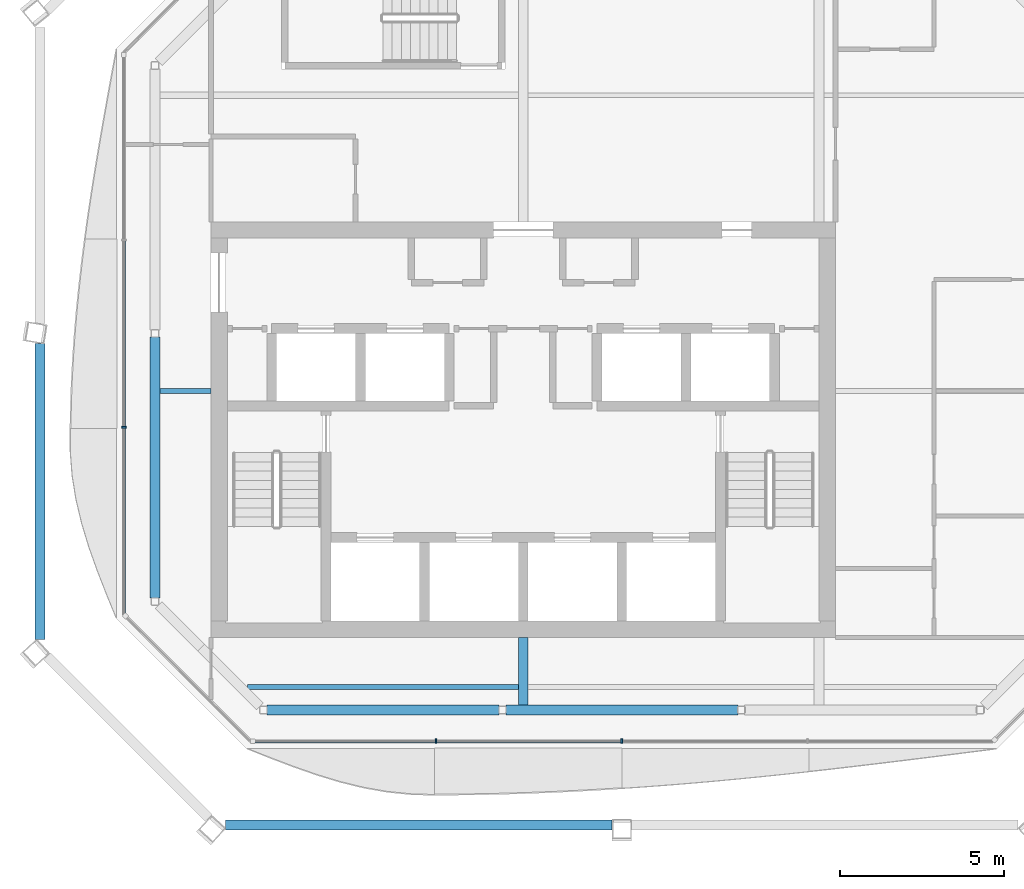
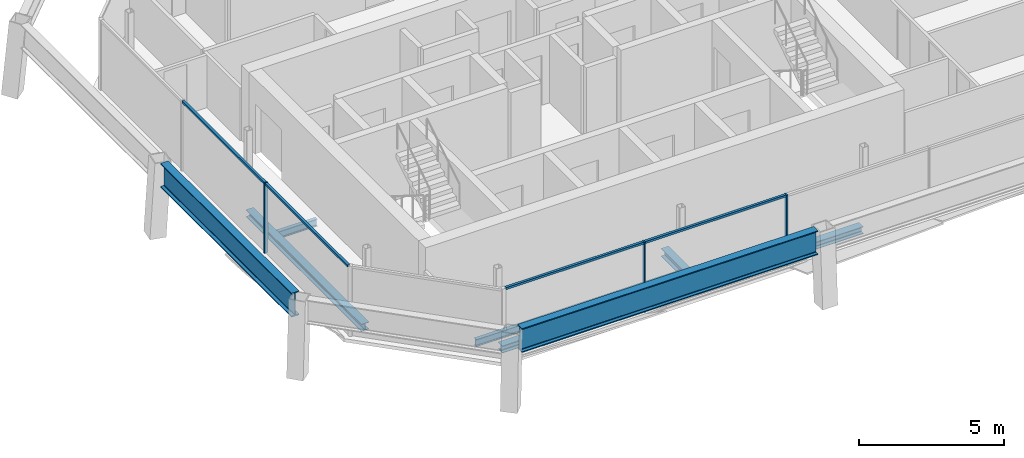
# One storey, part 3 of 14: 8 beams, 7 members, 2 elements without a shape of their own.
"""IFC4 building model written with IfcOpenShell, lengths in metres."""

import ifcopenshell
import ifcopenshell.guid

model = None  # the IFC model being written
_history = None  # IfcOwnerHistory: only IFC2X3 demands one
_inside = {}  # id of a spatial element -> (the spatial element, [elements in it])
_under = {}  # id of a project, library or spatial element -> (it, [spatial elements below it])
_declared = {}  # id of a project -> (the project, [libraries it declares])
_typed = {}  # id of a type object -> (the type object, [elements of that type])
_made_of = {}  # id of a material, layer set ... -> (it, [elements and type objects made of it])


def new_model(schema):
    """Start an empty IFC model of exactly this schema.

    Asked for "IFC4X3", IfcOpenShell would pick the latest addendum, in which some entities
    have other attributes; the version numbers below select the first issue.
    IFC2X3 requires an IfcOwnerHistory on every rooted entity: one is made here for all.
    """
    global model, _history
    if schema == "IFC4X3":
        model = ifcopenshell.file(schema_version=(4, 3, 0, 0))
    else:
        model = ifcopenshell.file(schema=schema)
    _inside.clear()
    _under.clear()
    _declared.clear()
    _typed.clear()
    _made_of.clear()
    _history = None
    if model.schema == "IFC2X3":
        org = make("IfcOrganization", Name="unknown")
        user = make(
            "IfcPersonAndOrganization",
            ThePerson=make("IfcPerson", FamilyName="unknown"),
            TheOrganization=org,
        )
        app = make(
            "IfcApplication",
            ApplicationDeveloper=org,
            Version="unknown",
            ApplicationFullName="unknown",
            ApplicationIdentifier="unknown",
        )
        _history = make(
            "IfcOwnerHistory",
            OwningUser=user,
            OwningApplication=app,
            ChangeAction="ADDED",
            CreationDate=0,
        )
    return model


def make(cls, **values):
    """One entity of the class cls with the attributes given. An attribute that is None is left unset."""
    return model.create_entity(
        cls, **{name: value for name, value in values.items() if value is not None}
    )


def rooted(cls, **values):
    """An entity with a GlobalId (a new one), such as an element, a storey or a relation."""
    return make(cls, GlobalId=ifcopenshell.guid.new(), OwnerHistory=_history, **values)


def si_unit(unit_type, name, prefix=None):
    """IfcSIUnit, for example si_unit("LENGTHUNIT", "METRE", prefix="MILLI")."""
    return make("IfcSIUnit", UnitType=unit_type, Prefix=prefix, Name=name)


def assignment(units):
    """IfcUnitAssignment: the units of a project."""
    return None if units is None else make("IfcUnitAssignment", Units=units)


def point(xyz):
    """IfcCartesianPoint."""
    return None if xyz is None else make("IfcCartesianPoint", Coordinates=xyz)


def direction(xyz):
    """IfcDirection."""
    return None if xyz is None else make("IfcDirection", DirectionRatios=xyz)


def frame(location, z_axis=None, x_axis=None):
    """IfcAxis2Placement3D, a coordinate frame: its origin and axes. An axis left out is left unset."""
    return make(
        "IfcAxis2Placement3D",
        Location=point(location),
        Axis=direction(z_axis),
        RefDirection=direction(x_axis),
    )


def frame_2d(location, x_axis=None):
    """IfcAxis2Placement2D, a coordinate frame in the plane: its origin and x axis."""
    return make(
        "IfcAxis2Placement2D", Location=point(location), RefDirection=direction(x_axis)
    )


def origin():
    """The frame at (0, 0, 0) with its axes left unset."""
    return frame((0.0, 0.0, 0.0))


def origin_2d():
    """The frame at (0, 0) in the plane with its x axis left unset."""
    return frame_2d((0.0, 0.0))


def place(relative_to, where):
    """IfcLocalPlacement: puts the frame where relative to a parent placement (None: the world)."""
    return make(
        "IfcLocalPlacement", PlacementRelTo=relative_to, RelativePlacement=where
    )


def context(
    kind, dimensions, precision=None, world=None, true_north=None, identifier=None
):
    """IfcGeometricRepresentationContext, for example the 3D "Model" context."""
    return make(
        "IfcGeometricRepresentationContext",
        ContextIdentifier=identifier,
        ContextType=kind,
        CoordinateSpaceDimension=dimensions,
        Precision=precision,
        WorldCoordinateSystem=world,
        TrueNorth=true_north,
    )


def subcontext(parent, identifier, kind, view, scale=None):
    """IfcGeometricRepresentationSubContext, for example "Body" below "Model"."""
    return make(
        "IfcGeometricRepresentationSubContext",
        ContextIdentifier=identifier,
        ContextType=kind,
        ParentContext=parent,
        TargetScale=scale,
        TargetView=view,
    )


def project(units=None, contexts=None):
    """IfcProject with its units and contexts."""
    return rooted(
        "IfcProject",
        Name="project",
        RepresentationContexts=contexts,
        UnitsInContext=assignment(units),
    )


def spatial(cls, under=None, at=None, **own):
    """A site, building, storey or space (cls), placed at a placement, below another one or the project."""
    s = rooted(cls, ObjectPlacement=at, **own)
    if under is not None:
        _under.setdefault(under.id(), (under, []))[1].append(s)
    return s


def profile(cls, at=None, kind="AREA", **sizes):
    """A parametric profile (cls). Its sizes go by their IFC names, for example OverallWidth=200.0."""
    return make(cls, ProfileType=kind, Position=at, **sizes)


def rectangle(**sizes):
    """IfcRectangleProfileDef."""
    return profile("IfcRectangleProfileDef", **sizes)


def i_section(**sizes):
    """IfcIShapeProfileDef."""
    return profile("IfcIShapeProfileDef", **sizes)


def extrude(swept, where, along, depth):
    """IfcExtrudedAreaSolid: the profile swept, set in the frame where, extruded along a direction by depth."""
    return make(
        "IfcExtrudedAreaSolid",
        SweptArea=swept,
        Position=where,
        ExtrudedDirection=direction(along),
        Depth=depth,
    )


def shape(context_of_items, identifier, shape_type, items):
    """IfcShapeRepresentation: the items that make up one representation, for example the "Body"."""
    return make(
        "IfcShapeRepresentation",
        ContextOfItems=context_of_items,
        RepresentationIdentifier=identifier,
        RepresentationType=shape_type,
        Items=items,
    )


def material(Name=None, Category=None):
    """IfcMaterial."""
    return make("IfcMaterial", Name=Name, Category=Category)


def material_profile(
    of_material, cross_section, Name=None, Category=None, Priority=None
):
    """IfcMaterialProfile: a cross section and its material."""
    return make(
        "IfcMaterialProfile",
        Name=Name,
        Material=of_material,
        Profile=cross_section,
        Priority=Priority,
        Category=Category,
    )


def profile_set(profiles, Name=None, composite=None):
    """IfcMaterialProfileSet."""
    return make(
        "IfcMaterialProfileSet",
        Name=Name,
        MaterialProfiles=profiles,
        CompositeProfile=composite,
    )


def made_of(thing, what):
    """Note that an element or type object is made of a material, layer set ...; save() writes the relation."""
    if what is not None:
        _made_of.setdefault(what.id(), (what, []))[1].append(thing)
    return thing


def type_object(cls, material=None, **own):
    """A type object (cls), such as IfcWallType, which elements share."""
    return made_of(rooted(cls, **own), material)


def element(
    cls,
    number,
    at=None,
    inside=None,
    cuts=None,
    type_object=None,
    material=None,
    context=None,
    identifier="Body",
    shape_type=None,
    held_by="IfcProductDefinitionShape",
    body=None,
    shapes=None,
    **own,
):
    """One element of the class cls, such as IfcWall. Its Tag is "e" and its number.

    at: its placement. inside: the storey or other place that contains it. cuts: it is an
    opening in that element (IfcRelVoidsElement). A single representation is given by context,
    identifier, shape_type and body (its items); several are given by shapes. held_by: the class
    of the entity that holds the representations. save() writes the other relations.
    """
    e = rooted(cls, Tag="e%d" % number, ObjectPlacement=at, **own)
    if body is not None:
        shapes = [shape(context, identifier, shape_type, body)]
    if shapes is not None:
        e.Representation = make(held_by, Representations=shapes)
    if inside is not None:
        _inside.setdefault(inside.id(), (inside, []))[1].append(e)
    if cuts is not None:
        rooted(
            "IfcRelVoidsElement", RelatingBuildingElement=cuts, RelatedOpeningElement=e
        )
    if type_object is not None:
        _typed.setdefault(type_object.id(), (type_object, []))[1].append(e)
    return made_of(e, material)


def aggregate(whole, parts):
    """IfcRelAggregates: a whole, such as a stair, and the parts it consists of."""
    return rooted("IfcRelAggregates", RelatingObject=whole, RelatedObjects=parts)


def save(model, path):
    """Write the relations noted so far, then the file.

    IfcRelAggregates (storeys below a building ...), IfcRelContainedInSpatialStructure (elements
    in a storey), IfcRelDefinesByType, IfcRelAssociatesMaterial and IfcRelDeclares: one each for
    every whole, place, type object, material and project.
    """
    for whole, parts in _under.values():
        aggregate(whole, parts)
    for where, things in _inside.values():
        rooted(
            "IfcRelContainedInSpatialStructure",
            RelatedElements=things,
            RelatingStructure=where,
        )
    for kind, things in _typed.values():
        rooted("IfcRelDefinesByType", RelatedObjects=things, RelatingType=kind)
    for what, things in _made_of.values():
        rooted("IfcRelAssociatesMaterial", RelatedObjects=things, RelatingMaterial=what)
    for by, libraries in _declared.values():
        rooted("IfcRelDeclares", RelatingContext=by, RelatedDefinitions=libraries)
    model.write(path)


model = new_model("IFC4")

# Units and contexts
model_context = context("Model", 3, precision=1e-05, world=origin(), true_north=direction((0.0, 1.0)))
body_context = subcontext(model_context, "Body", "Model", "MODEL_VIEW")
ifc_project = project(units=[si_unit("LENGTHUNIT", "METRE"), si_unit("AREAUNIT", "SQUARE_METRE"), si_unit("VOLUMEUNIT", "CUBIC_METRE"), si_unit("PLANEANGLEUNIT", "RADIAN"), si_unit("MASSUNIT", "GRAM", prefix="KILO")], contexts=[model_context])

# Site, building, storey
site_placement = place(None, origin())
site = spatial("IfcSite", under=ifc_project, at=site_placement, CompositionType="ELEMENT")
building_placement = place(site_placement, origin())
building = spatial("IfcBuilding", under=site, at=building_placement, Name="Tskaro Facet Tower", CompositionType="ELEMENT")
storey_placement = place(building_placement, frame((0.0, 0.0, 294.14990234375)))
storey = spatial("IfcBuildingStorey", under=building, at=storey_placement, Name="L79", CompositionType="ELEMENT", Elevation=294.14990234375)

# Curtain wall, members
ifc_material_1 = material(Name="Bronze anodised aluminium 6063-T6", Category="aluminium")
curtain_wall_type = type_object("IfcCurtainWallType", Name="Bronze residence curtain wall (FW3)", PredefinedType="NOTDEFINED", material=ifc_material_1)
curtain_wall_1_placement = place(storey_placement, origin())
curtain_wall_1 = element("IfcCurtainWall", 1, at=curtain_wall_1_placement, inside=storey, type_object=curtain_wall_type, Name="FW3 south facet L79", PredefinedType="NOTDEFINED")
ifc_material_profile_1 = material_profile(ifc_material_1, rectangle(XDim=0.050048828125, YDim=0.139892578125, at=origin_2d()), Name="Mullion 50x140")
ifc_profile_set_1 = profile_set([ifc_material_profile_1], Name="Bronze anodised aluminium 6063-T6")
member_type_1 = type_object("IfcMemberType", Name="FW3 bronze mullion 50x140", PredefinedType="MULLION", material=ifc_profile_set_1)
member_1_placement = place(storey_placement, frame((-2.64794921875, -15.14990234375, 0.0), z_axis=(0.0, 0.0, 1.0), x_axis=(1.0, 0.0, 0.0)))
member_1 = element("IfcMember", 2, at=member_1_placement, type_object=member_type_1, Name="FW3 south mullion 1", PredefinedType="MULLION", context=body_context, shape_type="SweptSolid", body=[
    extrude(rectangle(XDim=0.050048828125, YDim=0.139892578125, at=origin_2d()), origin(), (0.0, 0.0, 1.0), 2.9501953125),
])
member_2_placement = place(storey_placement, frame((3.0, -15.14990234375, 0.0), z_axis=(0.0, 0.0, 1.0), x_axis=(1.0, 0.0, 0.0)))
member_2 = element("IfcMember", 3, at=member_2_placement, type_object=member_type_1, Name="FW3 south mullion 2", PredefinedType="MULLION", context=body_context, shape_type="SweptSolid", body=[
    extrude(rectangle(XDim=0.050048828125, YDim=0.139892578125, at=origin_2d()), origin(), (0.0, 0.0, 1.0), 2.9501953125),
])

# Curtain wall, member
curtain_wall_2_placement = place(storey_placement, origin())
curtain_wall_2 = element("IfcCurtainWall", 4, at=curtain_wall_2_placement, inside=storey, type_object=curtain_wall_type, Name="FW3 west facet L79", PredefinedType="NOTDEFINED")
member_3_placement = place(storey_placement, frame((-12.14990234375, -5.5986328125, 0.0), z_axis=(0.0, 0.0, 1.0), x_axis=(0.0, -1.0, 0.0)))
member_3 = element("IfcMember", 5, at=member_3_placement, type_object=member_type_1, Name="FW3 west mullion 2", PredefinedType="MULLION", context=body_context, shape_type="SweptSolid", body=[
    extrude(rectangle(XDim=0.050048828125, YDim=0.139892578125, at=origin_2d()), origin(), (0.0, 0.0, 1.0), 2.9501953125),
])

# Member
ifc_material_profile_2 = material_profile(ifc_material_1, rectangle(XDim=0.10009765625, YDim=0.090087890625, at=origin_2d()), Name="Transom 100x90")
ifc_profile_set_2 = profile_set([ifc_material_profile_2], Name="Bronze anodised aluminium 6063-T6")
member_type_2 = type_object("IfcMemberType", Name="FW3 bronze transom 100x90", PredefinedType="USERDEFINED", material=ifc_profile_set_2)
member_4_placement = place(storey_placement, frame((-8.156005859375, -15.14990234375, 2.905029296875), z_axis=(1.0, 0.0, 0.0), x_axis=(0.0, 1.0, 0.0)))
member_4 = element("IfcMember", 6, at=member_4_placement, type_object=member_type_2, Name="FW3 south transom 1.1", ObjectType="TRANSOM", PredefinedType="USERDEFINED", context=body_context, shape_type="SweptSolid", body=[
    extrude(rectangle(XDim=0.10009765625, YDim=0.090087890625, at=origin_2d()), origin(), (0.0, 0.0, 1.0), 5.48291015625),
])

member_5_placement = place(storey_placement, frame((-2.623046875, -15.14990234375, 2.905029296875), z_axis=(1.0, 0.0, 0.0), x_axis=(0.0, 1.0, 0.0)))
member_5 = element("IfcMember", 7, at=member_5_placement, type_object=member_type_2, Name="FW3 south transom 2.1", ObjectType="TRANSOM", PredefinedType="USERDEFINED", context=body_context, shape_type="SweptSolid", body=[
    extrude(rectangle(XDim=0.10009765625, YDim=0.090087890625, at=origin_2d()), origin(), (0.0, 0.0, 1.0), 5.59814453125),
])

aggregate(curtain_wall_1, [member_1, member_2, member_4, member_5])

member_6_placement = place(storey_placement, frame((-12.14990234375, 0.07373046875, 2.905029296875), z_axis=(0.0, -1.0, 0.0), x_axis=(1.0, 0.0, 0.0)))
member_6 = element("IfcMember", 8, at=member_6_placement, type_object=member_type_2, Name="FW3 west transom 2.1", ObjectType="TRANSOM", PredefinedType="USERDEFINED", context=body_context, shape_type="SweptSolid", body=[
    extrude(rectangle(XDim=0.10009765625, YDim=0.090087890625, at=origin_2d()), origin(), (0.0, 0.0, 1.0), 5.6474609375),
])

member_7_placement = place(storey_placement, frame((-12.14990234375, -5.623779296875, 2.905029296875), z_axis=(0.0, -1.0, 0.0), x_axis=(1.0, 0.0, 0.0)))
member_7 = element("IfcMember", 9, at=member_7_placement, type_object=member_type_2, Name="FW3 west transom 3.1", ObjectType="TRANSOM", PredefinedType="USERDEFINED", context=body_context, shape_type="SweptSolid", body=[
    extrude(rectangle(XDim=0.10009765625, YDim=0.090087890625, at=origin_2d()), origin(), (0.0, 0.0, 1.0), 5.672119140625),
])

aggregate(curtain_wall_2, [member_3, member_6, member_7])

# Beams
ifc_material_2 = material(Name="Steel S355J2", Category="steel")
ifc_material_profile_3 = material_profile(ifc_material_2, i_section(OverallWidth=0.302001953125, OverallDepth=1.008056640625, WebThickness=0.02099609375, FlangeThickness=0.0400390625, FilletRadius=0.030029296875, at=origin_2d()), Name="HE 1000 M")
ifc_profile_set_3 = profile_set([ifc_material_profile_3], Name="Steel S355J2")
beam_type_1 = type_object("IfcBeamType", Name="HE 1000 M crown ring beam", PredefinedType="BEAM", material=ifc_profile_set_3)
beam_1_placement = place(storey_placement, frame((-9.053955078125, -17.701904296875, 2.64599609375), z_axis=(1.0, 0.0, 0.0), x_axis=(0.0, 1.0, 0.0)))
element("IfcBeam", 10, at=beam_1_placement, inside=storey, type_object=beam_type_1, Name="HE 1000 M CR01-6", PredefinedType="BEAM", context=body_context, shape_type="SweptSolid", body=[
    extrude(i_section(OverallWidth=0.302001953125, OverallDepth=1.008056640625, WebThickness=0.02099609375, FlangeThickness=0.0400390625, FilletRadius=0.030029296875, at=origin_2d()), origin(), (0.0, 0.0, 1.0), 11.75390625),
])
beam_2_placement = place(storey_placement, frame((-14.701904296875, -3.050048828125, 2.64599609375), z_axis=(0.0, -1.0, 0.0), x_axis=(1.0, 0.0, 0.0)))
element("IfcBeam", 11, at=beam_2_placement, inside=storey, type_object=beam_type_1, Name="HE 1000 M CR11-6", PredefinedType="BEAM", context=body_context, shape_type="SweptSolid", body=[
    extrude(i_section(OverallWidth=0.302001953125, OverallDepth=1.008056640625, WebThickness=0.02099609375, FlangeThickness=0.0400390625, FilletRadius=0.030029296875, at=origin_2d()), origin(), (0.0, 0.0, 1.0), 9.00390625),
])
ifc_material_profile_4 = material_profile(ifc_material_2, i_section(OverallWidth=0.300048828125, OverallDepth=0.300048828125, WebThickness=0.010986328125, FlangeThickness=0.01904296875, FilletRadius=0.027099609375, at=origin_2d()), Name="HE 300 B")
ifc_profile_set_4 = profile_set([ifc_material_profile_4], Name="Steel S355J2")
beam_type_2 = type_object("IfcBeamType", Name="HE 300 B ring beam", PredefinedType="BEAM", material=ifc_profile_set_4)
beam_3_placement = place(storey_placement, frame((-7.798095703125, -14.199951171875, -0.289794921875), z_axis=(1.0, 0.0, 0.0), x_axis=(0.0, 1.0, 0.0)))
element("IfcBeam", 12, at=beam_3_placement, inside=storey, type_object=beam_type_2, Name="HE 300 B EB1-6", PredefinedType="BEAM", context=body_context, shape_type="SweptSolid", body=[
    extrude(i_section(OverallWidth=0.300048828125, OverallDepth=0.300048828125, WebThickness=0.010986328125, FlangeThickness=0.01904296875, FilletRadius=0.027099609375, at=origin_2d()), origin(), (0.0, 0.0, 1.0), 7.05908203125),
])
beam_4_placement = place(storey_placement, frame((-0.529052734375, -14.199951171875, -0.289794921875), z_axis=(1.0, 0.0, 0.0), x_axis=(0.0, 1.0, 0.0)))
element("IfcBeam", 13, at=beam_4_placement, inside=storey, type_object=beam_type_2, Name="HE 300 B EB2-6", PredefinedType="BEAM", context=body_context, shape_type="SweptSolid", body=[
    extrude(i_section(OverallWidth=0.300048828125, OverallDepth=0.300048828125, WebThickness=0.010986328125, FlangeThickness=0.01904296875, FilletRadius=0.027099609375, at=origin_2d()), origin(), (0.0, 0.0, 1.0), 7.05810546875),
])
beam_5_placement = place(storey_placement, frame((-11.199951171875, -2.85498046875, -0.289794921875), z_axis=(0.0, -1.0, 0.0), x_axis=(1.0, 0.0, 0.0)))
element("IfcBeam", 14, at=beam_5_placement, inside=storey, type_object=beam_type_2, Name="HE 300 B EB14-6", PredefinedType="BEAM", context=body_context, shape_type="SweptSolid", body=[
    extrude(i_section(OverallWidth=0.300048828125, OverallDepth=0.300048828125, WebThickness=0.010986328125, FlangeThickness=0.01904296875, FilletRadius=0.027099609375, at=origin_2d()), origin(), (0.0, 0.0, 1.0), 7.943115234375),
])
ifc_material_profile_5 = material_profile(ifc_material_2, i_section(OverallWidth=0.300048828125, OverallDepth=0.330078125, WebThickness=0.009521484375, FlangeThickness=0.0166015625, FilletRadius=0.027099609375, at=origin_2d()), Name="HE 340 A")
ifc_profile_set_5 = profile_set([ifc_material_profile_5], Name="Steel S355J2")
beam_type_3 = type_object("IfcBeamType", Name="HE 340 A girder", PredefinedType="BEAM", material=ifc_profile_set_5)
beam_6_placement = place(storey_placement, frame((0.0, -14.050048828125, -0.304931640625), z_axis=(0.0, 1.0, 0.0), x_axis=(-1.0, 0.0, 0.0)))
element("IfcBeam", 15, at=beam_6_placement, inside=storey, type_object=beam_type_3, Name="HE 340 A GB4-1-6", PredefinedType="BEAM", context=body_context, shape_type="SweptSolid", body=[
    extrude(i_section(OverallWidth=0.300048828125, OverallDepth=0.330078125, WebThickness=0.009521484375, FlangeThickness=0.0166015625, FilletRadius=0.027099609375, at=origin_2d()), origin(), (0.0, 0.0, 1.0), 2.050048828125),
])
ifc_material_profile_6 = material_profile(ifc_material_2, i_section(OverallWidth=0.14990234375, OverallDepth=0.300048828125, WebThickness=0.007080078125, FlangeThickness=0.0107421875, FilletRadius=0.014892578125, at=origin_2d()), Name="IPE 300")
ifc_profile_set_6 = profile_set([ifc_material_profile_6], Name="Steel S355J2")
beam_type_4 = type_object("IfcBeamType", Name="IPE 300 secondary beam", PredefinedType="BEAM", material=ifc_profile_set_6)
beam_7_placement = place(storey_placement, frame((-8.39111328125, -13.5, -0.289794921875), z_axis=(1.0, 0.0, 0.0), x_axis=(0.0, 1.0, 0.0)))
element("IfcBeam", 16, at=beam_7_placement, inside=storey, type_object=beam_type_4, Name="IPE 300 SB2a-1-6", PredefinedType="BEAM", context=body_context, shape_type="SweptSolid", body=[
    extrude(i_section(OverallWidth=0.14990234375, OverallDepth=0.300048828125, WebThickness=0.007080078125, FlangeThickness=0.0107421875, FilletRadius=0.014892578125, at=origin_2d()), origin(), (0.0, 0.0, 1.0), 8.2412109375),
])
beam_8_placement = place(storey_placement, frame((-11.050048828125, -4.5, -0.289794921875), z_axis=(1.0, 0.0, 0.0), x_axis=(0.0, 1.0, 0.0)))
element("IfcBeam", 17, at=beam_8_placement, inside=storey, type_object=beam_type_4, Name="IPE 300 SB3a-1-6", PredefinedType="BEAM", context=body_context, shape_type="SweptSolid", body=[
    extrude(i_section(OverallWidth=0.14990234375, OverallDepth=0.300048828125, WebThickness=0.007080078125, FlangeThickness=0.0107421875, FilletRadius=0.014892578125, at=origin_2d()), origin(), (0.0, 0.0, 1.0), 1.550048828125),
])

save(model, "model.ifc")
